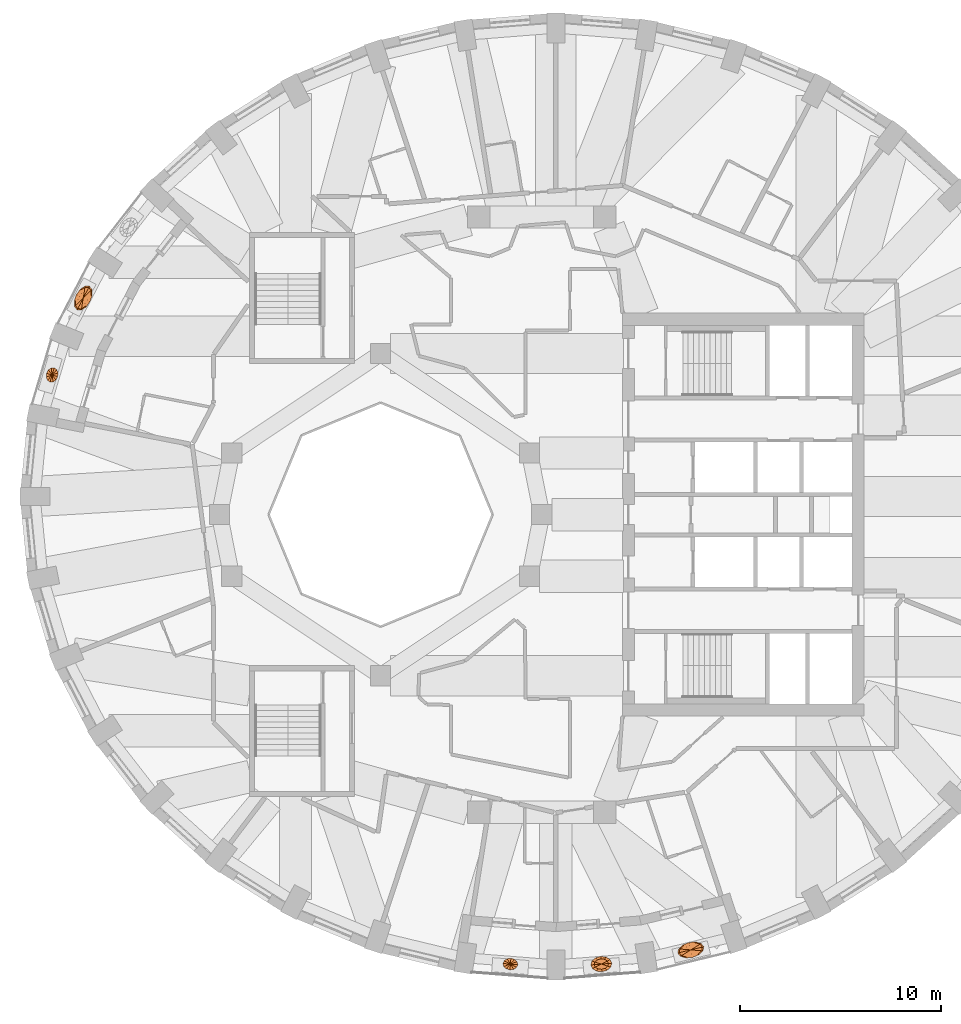
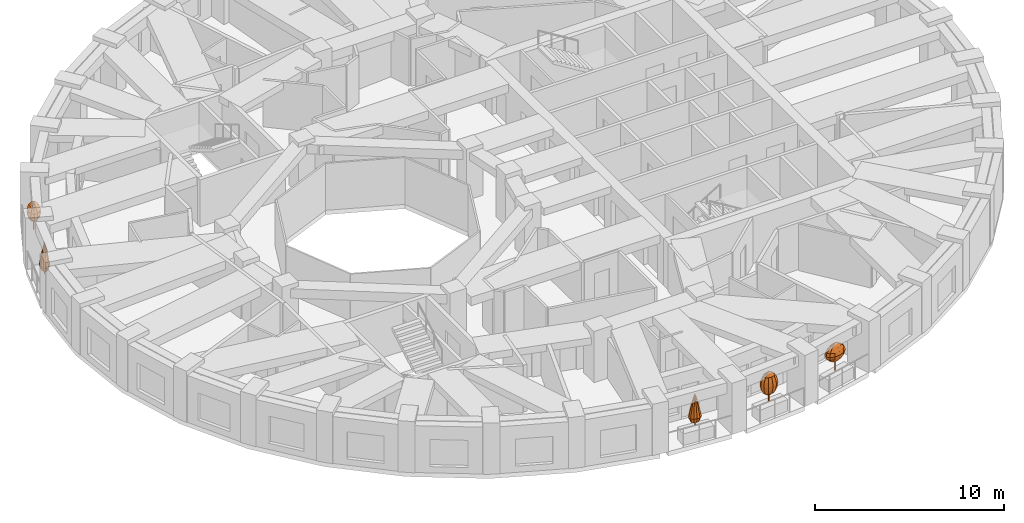
# One storey, part 11 of 12: 5 geographic elements.
"""IFC4 building model written with IfcOpenShell, lengths in metres."""

from ifc_helpers import new_model, si_unit, direction, frame, origin, place, context, subcontext, project, spatial, faceted_brep, material, constituent, constituent_set, type_object, element, save


model = new_model("IFC4")

# Units and contexts
model_context = context("Model", 3, precision=1e-05, world=origin(), true_north=direction((0.0, 1.0)))
body_context = subcontext(model_context, "Body", "Model", "MODEL_VIEW")
ifc_project = project(units=[si_unit("LENGTHUNIT", "METRE"), si_unit("AREAUNIT", "SQUARE_METRE"), si_unit("VOLUMEUNIT", "CUBIC_METRE"), si_unit("PLANEANGLEUNIT", "RADIAN"), si_unit("MASSUNIT", "GRAM", prefix="KILO")], contexts=[model_context])

# Site, building, storey
site_placement = place(None, origin())
site = spatial("IfcSite", under=ifc_project, at=site_placement, CompositionType="ELEMENT")
building_placement = place(site_placement, origin())
building = spatial("IfcBuilding", under=site, at=building_placement, Name="Taillehof Tower", CompositionType="ELEMENT")
storey_placement = place(building_placement, frame((0.0, 0.0, 202.39990234375)))
storey = spatial("IfcBuildingStorey", under=building, at=storey_placement, Name="L57", CompositionType="ELEMENT", Elevation=202.39990234375)

# Geographic elements
ifc_material_1 = material(Name="Tree bark", Category="timber")
ifc_constituent_1 = constituent(ifc_material_1, Name="Trunk", Category="timber")
ifc_material_2 = material(Name="Tree foliage")
ifc_constituent_2 = constituent(ifc_material_2, Name="Crown")
ifc_constituent_set_1 = constituent_set(constituents=[ifc_constituent_1, ifc_constituent_2], Name="Tree TR2 Fastigiate yew")
geographic_element_type_1 = type_object("IfcGeographicElementType", Name="Tree TR2 Fastigiate yew", PredefinedType="USERDEFINED", material=ifc_constituent_set_1)
geographic_element_1_placement = place(storey_placement, frame((2.955322265625, -22.310546875, 0.75)))
element("IfcGeographicElement", 1, at=geographic_element_1_placement, inside=storey, type_object=geographic_element_type_1, Name="Tree TR2 Fastigiate yew", ObjectType="TREE", PredefinedType="USERDEFINED", context=body_context, shape_type="Brep", body=[
    faceted_brep([(0.034912109375, 0.0, 0.0), (0.024658203125, 0.024658203125, 0.0), (0.024658203125, 0.024658203125, 0.909912109375), (0.034912109375, 0.0, 0.909912109375), (0.0, 0.034912109375, 0.0), (0.0, 0.034912109375, 0.909912109375), (-0.024658203125, 0.024658203125, 0.0), (-0.024658203125, 0.024658203125, 0.909912109375), (-0.034912109375, 0.0, 0.0), (-0.034912109375, 0.0, 0.909912109375), (-0.024658203125, -0.024658203125, 0.0), (-0.024658203125, -0.024658203125, 0.909912109375), (0.0, -0.034912109375, 0.0), (0.0, -0.034912109375, 0.909912109375), (0.024658203125, -0.024658203125, 0.0), (0.024658203125, -0.024658203125, 0.909912109375)], [[[0, 1, 2, 3]], [[1, 4, 5, 2]], [[4, 6, 7, 5]], [[6, 8, 9, 7]], [[8, 10, 11, 9]], [[10, 12, 13, 11]], [[12, 14, 15, 13]], [[14, 0, 3, 15]], [[14, 12, 10, 8, 6, 4, 1, 0]], [[3, 2, 5, 7, 9, 11, 13, 15]]]),
    faceted_brep([(0.0, 0.0, 0.35009765625), (0.2978515625, 0.153564453125, 0.61669921875), (0.355712890625, 0.028076171875, 0.61669921875), (0.16015625, 0.238037109375, 0.61669921875), (-0.020263671875, 0.2587890625, 0.61669921875), (-0.195556640625, 0.2099609375, 0.61669921875), (-0.318359375, 0.105224609375, 0.61669921875), (-0.355712890625, -0.028076171875, 0.61669921875), (-0.2978515625, -0.153564453125, 0.61669921875), (-0.16015625, -0.238037109375, 0.61669921875), (0.020263671875, -0.2587890625, 0.61669921875), (0.195556640625, -0.2099609375, 0.61669921875), (0.318359375, -0.105224609375, 0.61669921875), (0.403076171875, 0.207763671875, 0.88330078125), (0.481201171875, 0.037841796875, 0.88330078125), (0.216796875, 0.322021484375, 0.88330078125), (-0.027587890625, 0.35009765625, 0.88330078125), (-0.264404296875, 0.2841796875, 0.88330078125), (-0.4306640625, 0.14208984375, 0.88330078125), (-0.481201171875, -0.037841796875, 0.88330078125), (-0.403076171875, -0.207763671875, 0.88330078125), (-0.216796875, -0.322021484375, 0.88330078125), (0.027587890625, -0.35009765625, 0.88330078125), (0.264404296875, -0.2841796875, 0.88330078125), (0.4306640625, -0.14208984375, 0.88330078125), (0.436279296875, 0.224853515625, 1.14990234375), (0.52099609375, 0.041015625, 1.14990234375), (0.234619140625, 0.3486328125, 1.14990234375), (-0.02978515625, 0.37890625, 1.14990234375), (-0.286376953125, 0.3076171875, 1.14990234375), (-0.466064453125, 0.15380859375, 1.14990234375), (-0.52099609375, -0.041015625, 1.14990234375), (-0.436279296875, -0.224853515625, 1.14990234375), (-0.234619140625, -0.3486328125, 1.14990234375), (0.02978515625, -0.37890625, 1.14990234375), (0.286376953125, -0.3076171875, 1.14990234375), (0.466064453125, -0.15380859375, 1.14990234375), (0.403076171875, 0.207763671875, 1.416748046875), (0.481201171875, 0.037841796875, 1.416748046875), (0.216796875, 0.322021484375, 1.416748046875), (-0.027587890625, 0.35009765625, 1.416748046875), (-0.264404296875, 0.2841796875, 1.416748046875), (-0.4306640625, 0.14208984375, 1.416748046875), (-0.481201171875, -0.037841796875, 1.416748046875), (-0.403076171875, -0.207763671875, 1.416748046875), (-0.216796875, -0.322021484375, 1.416748046875), (0.027587890625, -0.35009765625, 1.416748046875), (0.264404296875, -0.2841796875, 1.416748046875), (0.4306640625, -0.14208984375, 1.416748046875), (0.2978515625, 0.153564453125, 1.683349609375), (0.355712890625, 0.028076171875, 1.683349609375), (0.16015625, 0.238037109375, 1.683349609375), (-0.020263671875, 0.2587890625, 1.683349609375), (-0.195556640625, 0.2099609375, 1.683349609375), (-0.318359375, 0.105224609375, 1.683349609375), (-0.355712890625, -0.028076171875, 1.683349609375), (-0.2978515625, -0.153564453125, 1.683349609375), (-0.16015625, -0.238037109375, 1.683349609375), (0.020263671875, -0.2587890625, 1.683349609375), (0.195556640625, -0.2099609375, 1.683349609375), (0.318359375, -0.105224609375, 1.683349609375), (0.0, 0.0, 1.949951171875)], [[[0, 1, 2]], [[0, 3, 1]], [[0, 4, 3]], [[0, 5, 4]], [[0, 6, 5]], [[0, 7, 6]], [[0, 8, 7]], [[0, 9, 8]], [[0, 10, 9]], [[0, 11, 10]], [[0, 12, 11]], [[0, 2, 12]], [[2, 1, 13, 14]], [[1, 3, 15, 13]], [[3, 4, 16, 15]], [[4, 5, 17, 16]], [[5, 6, 18, 17]], [[6, 7, 19, 18]], [[7, 8, 20, 19]], [[8, 9, 21, 20]], [[9, 10, 22, 21]], [[10, 11, 23, 22]], [[11, 12, 24, 23]], [[12, 2, 14, 24]], [[14, 13, 25, 26]], [[13, 15, 27, 25]], [[15, 16, 28, 27]], [[16, 17, 29, 28]], [[17, 18, 30, 29]], [[18, 19, 31, 30]], [[19, 20, 32, 31]], [[20, 21, 33, 32]], [[21, 22, 34, 33]], [[22, 23, 35, 34]], [[23, 24, 36, 35]], [[24, 14, 26, 36]], [[26, 25, 37, 38]], [[25, 27, 39, 37]], [[27, 28, 40, 39]], [[28, 29, 41, 40]], [[29, 30, 42, 41]], [[30, 31, 43, 42]], [[31, 32, 44, 43]], [[32, 33, 45, 44]], [[33, 34, 46, 45]], [[34, 35, 47, 46]], [[35, 36, 48, 47]], [[36, 26, 38, 48]], [[38, 37, 49, 50]], [[37, 39, 51, 49]], [[39, 40, 52, 51]], [[40, 41, 53, 52]], [[41, 42, 54, 53]], [[42, 43, 55, 54]], [[43, 44, 56, 55]], [[44, 45, 57, 56]], [[45, 46, 58, 57]], [[46, 47, 59, 58]], [[47, 48, 60, 59]], [[48, 38, 50, 60]], [[50, 49, 61]], [[49, 51, 61]], [[51, 52, 61]], [[52, 53, 61]], [[53, 54, 61]], [[54, 55, 61]], [[55, 56, 61]], [[56, 57, 61]], [[57, 58, 61]], [[58, 59, 61]], [[59, 60, 61]], [[60, 50, 61]]]),
])
ifc_material_3 = material(Name="Tree bark", Category="timber")
ifc_constituent_3 = constituent(ifc_material_3, Name="Trunk", Category="timber")
ifc_material_4 = material(Name="Tree foliage")
ifc_constituent_4 = constituent(ifc_material_4, Name="Crown")
ifc_constituent_set_2 = constituent_set(constituents=[ifc_constituent_3, ifc_constituent_4], Name="Tree TR4 Sea buckthorn standard")
geographic_element_type_2 = type_object("IfcGeographicElementType", Name="Tree TR4 Sea buckthorn standard", PredefinedType="USERDEFINED", material=ifc_constituent_set_2)
geographic_element_2_placement = place(storey_placement, frame((-22.760986328125, 10.750244140625, 0.75)))
element("IfcGeographicElement", 2, at=geographic_element_2_placement, inside=storey, type_object=geographic_element_type_2, Name="Tree TR4 Sea buckthorn standard", ObjectType="TREE", PredefinedType="USERDEFINED", context=body_context, shape_type="Brep", body=[
    faceted_brep([(0.030029296875, 0.0, 0.0), (0.021240234375, 0.021240234375, 0.0), (0.021240234375, 0.021240234375, 0.98095703125), (0.030029296875, 0.0, 0.98095703125), (0.0, 0.030029296875, 0.0), (0.0, 0.030029296875, 0.98095703125), (-0.021240234375, 0.021240234375, 0.0), (-0.021240234375, 0.021240234375, 0.98095703125), (-0.030029296875, 0.0, 0.0), (-0.030029296875, 0.0, 0.98095703125), (-0.021240234375, -0.021240234375, 0.0), (-0.021240234375, -0.021240234375, 0.98095703125), (0.0, -0.030029296875, 0.0), (0.0, -0.030029296875, 0.98095703125), (0.021240234375, -0.021240234375, 0.0), (0.021240234375, -0.021240234375, 0.98095703125)], [[[0, 1, 2, 3]], [[1, 4, 5, 2]], [[4, 6, 7, 5]], [[6, 8, 9, 7]], [[8, 10, 11, 9]], [[10, 12, 13, 11]], [[12, 14, 15, 13]], [[14, 0, 3, 15]], [[14, 12, 10, 8, 6, 4, 1, 0]], [[3, 2, 5, 7, 9, 11, 13, 15]]]),
    faceted_brep([(0.0, 0.0, 0.5400390625), (-0.055419921875, -0.343994140625, 0.75), (-0.17578125, -0.339111328125, 0.75), (0.079833984375, -0.256591796875, 0.75), (0.19384765625, -0.100341796875, 0.75), (0.255615234375, 0.08251953125, 0.75), (0.2490234375, 0.243408203125, 0.75), (0.17578125, 0.339111328125, 0.75), (0.055419921875, 0.343994140625, 0.75), (-0.079833984375, 0.256591796875, 0.75), (-0.19384765625, 0.100341796875, 0.75), (-0.255615234375, -0.08251953125, 0.75), (-0.2490234375, -0.243408203125, 0.75), (-0.0859375, -0.53369140625, 0.9599609375), (-0.272705078125, -0.526123046875, 0.9599609375), (0.1240234375, -0.398193359375, 0.9599609375), (0.30078125, -0.15576171875, 0.9599609375), (0.396728515625, 0.128173828125, 0.9599609375), (0.386474609375, 0.377685546875, 0.9599609375), (0.272705078125, 0.526123046875, 0.9599609375), (0.0859375, 0.53369140625, 0.9599609375), (-0.1240234375, 0.398193359375, 0.9599609375), (-0.30078125, 0.15576171875, 0.9599609375), (-0.396728515625, -0.128173828125, 0.9599609375), (-0.386474609375, -0.377685546875, 0.9599609375), (-0.096435546875, -0.5986328125, 1.169921875), (-0.30615234375, -0.59033203125, 1.169921875), (0.13916015625, -0.446533203125, 1.169921875), (0.33740234375, -0.1748046875, 1.169921875), (0.445068359375, 0.143798828125, 1.169921875), (0.433837890625, 0.423828125, 1.169921875), (0.30615234375, 0.59033203125, 1.169921875), (0.096435546875, 0.5986328125, 1.169921875), (-0.13916015625, 0.446533203125, 1.169921875), (-0.33740234375, 0.1748046875, 1.169921875), (-0.445068359375, -0.143798828125, 1.169921875), (-0.433837890625, -0.423828125, 1.169921875), (-0.0859375, -0.53369140625, 1.3798828125), (-0.272705078125, -0.526123046875, 1.3798828125), (0.1240234375, -0.398193359375, 1.3798828125), (0.30078125, -0.15576171875, 1.3798828125), (0.396728515625, 0.128173828125, 1.3798828125), (0.386474609375, 0.377685546875, 1.3798828125), (0.272705078125, 0.526123046875, 1.3798828125), (0.0859375, 0.53369140625, 1.3798828125), (-0.1240234375, 0.398193359375, 1.3798828125), (-0.30078125, 0.15576171875, 1.3798828125), (-0.396728515625, -0.128173828125, 1.3798828125), (-0.386474609375, -0.377685546875, 1.3798828125), (-0.055419921875, -0.343994140625, 1.590087890625), (-0.17578125, -0.339111328125, 1.590087890625), (0.079833984375, -0.256591796875, 1.590087890625), (0.19384765625, -0.100341796875, 1.590087890625), (0.255615234375, 0.08251953125, 1.590087890625), (0.2490234375, 0.243408203125, 1.590087890625), (0.17578125, 0.339111328125, 1.590087890625), (0.055419921875, 0.343994140625, 1.590087890625), (-0.079833984375, 0.256591796875, 1.590087890625), (-0.19384765625, 0.100341796875, 1.590087890625), (-0.255615234375, -0.08251953125, 1.590087890625), (-0.2490234375, -0.243408203125, 1.590087890625), (0.0, 0.0, 1.800048828125)], [[[0, 1, 2]], [[0, 3, 1]], [[0, 4, 3]], [[0, 5, 4]], [[0, 6, 5]], [[0, 7, 6]], [[0, 8, 7]], [[0, 9, 8]], [[0, 10, 9]], [[0, 11, 10]], [[0, 12, 11]], [[0, 2, 12]], [[2, 1, 13, 14]], [[1, 3, 15, 13]], [[3, 4, 16, 15]], [[4, 5, 17, 16]], [[5, 6, 18, 17]], [[6, 7, 19, 18]], [[7, 8, 20, 19]], [[8, 9, 21, 20]], [[9, 10, 22, 21]], [[10, 11, 23, 22]], [[11, 12, 24, 23]], [[12, 2, 14, 24]], [[14, 13, 25, 26]], [[13, 15, 27, 25]], [[15, 16, 28, 27]], [[16, 17, 29, 28]], [[17, 18, 30, 29]], [[18, 19, 31, 30]], [[19, 20, 32, 31]], [[20, 21, 33, 32]], [[21, 22, 34, 33]], [[22, 23, 35, 34]], [[23, 24, 36, 35]], [[24, 14, 26, 36]], [[26, 25, 37, 38]], [[25, 27, 39, 37]], [[27, 28, 40, 39]], [[28, 29, 41, 40]], [[29, 30, 42, 41]], [[30, 31, 43, 42]], [[31, 32, 44, 43]], [[32, 33, 45, 44]], [[33, 34, 46, 45]], [[34, 35, 47, 46]], [[35, 36, 48, 47]], [[36, 26, 38, 48]], [[38, 37, 49, 50]], [[37, 39, 51, 49]], [[39, 40, 52, 51]], [[40, 41, 53, 52]], [[41, 42, 54, 53]], [[42, 43, 55, 54]], [[43, 44, 56, 55]], [[44, 45, 57, 56]], [[45, 46, 58, 57]], [[46, 47, 59, 58]], [[47, 48, 60, 59]], [[48, 38, 50, 60]], [[50, 49, 61]], [[49, 51, 61]], [[51, 52, 61]], [[52, 53, 61]], [[53, 54, 61]], [[54, 55, 61]], [[55, 56, 61]], [[56, 57, 61]], [[57, 58, 61]], [[58, 59, 61]], [[59, 60, 61]], [[60, 50, 61]]]),
])
geographic_element_3_placement = place(storey_placement, frame((7.39794921875, -21.60595703125, 0.75)))
element("IfcGeographicElement", 3, at=geographic_element_3_placement, inside=storey, type_object=geographic_element_type_2, Name="Tree TR4 Sea buckthorn standard", ObjectType="TREE", PredefinedType="USERDEFINED", context=body_context, shape_type="Brep", body=[
    faceted_brep([(0.030029296875, 0.0, 0.0), (0.021240234375, 0.021240234375, 0.0), (0.021240234375, 0.021240234375, 0.98095703125), (0.030029296875, 0.0, 0.98095703125), (0.0, 0.030029296875, 0.0), (0.0, 0.030029296875, 0.98095703125), (-0.021240234375, 0.021240234375, 0.0), (-0.021240234375, 0.021240234375, 0.98095703125), (-0.030029296875, 0.0, 0.0), (-0.030029296875, 0.0, 0.98095703125), (-0.021240234375, -0.021240234375, 0.0), (-0.021240234375, -0.021240234375, 0.98095703125), (0.0, -0.030029296875, 0.0), (0.0, -0.030029296875, 0.98095703125), (0.021240234375, -0.021240234375, 0.0), (0.021240234375, -0.021240234375, 0.98095703125)], [[[0, 1, 2, 3]], [[1, 4, 5, 2]], [[4, 6, 7, 5]], [[6, 8, 9, 7]], [[8, 10, 11, 9]], [[10, 12, 13, 11]], [[12, 14, 15, 13]], [[14, 0, 3, 15]], [[14, 12, 10, 8, 6, 4, 1, 0]], [[3, 2, 5, 7, 9, 11, 13, 15]]]),
    faceted_brep([(0.0, 0.0, 0.5400390625), (0.2958984375, 0.18359375, 0.75), (0.371337890625, 0.089599609375, 0.75), (0.141357421875, 0.228515625, 0.75), (-0.051025390625, 0.212158203125, 0.75), (-0.22998046875, 0.138916015625, 0.75), (-0.34716796875, 0.028564453125, 0.75), (-0.371337890625, -0.089599609375, 0.75), (-0.2958984375, -0.18359375, 0.75), (-0.141357421875, -0.228515625, 0.75), (0.051025390625, -0.212158203125, 0.75), (0.22998046875, -0.138916015625, 0.75), (0.34716796875, -0.028564453125, 0.75), (0.459228515625, 0.284912109375, 0.9599609375), (0.576171875, 0.138916015625, 0.9599609375), (0.219482421875, 0.3544921875, 0.9599609375), (-0.079345703125, 0.329345703125, 0.9599609375), (-0.35693359375, 0.2158203125, 0.9599609375), (-0.538818359375, 0.04443359375, 0.9599609375), (-0.576171875, -0.138916015625, 0.9599609375), (-0.459228515625, -0.284912109375, 0.9599609375), (-0.219482421875, -0.3544921875, 0.9599609375), (0.079345703125, -0.329345703125, 0.9599609375), (0.35693359375, -0.2158203125, 0.9599609375), (0.538818359375, -0.04443359375, 0.9599609375), (0.515380859375, 0.319580078125, 1.169921875), (0.646484375, 0.15576171875, 1.169921875), (0.24609375, 0.39794921875, 1.169921875), (-0.089111328125, 0.369384765625, 1.169921875), (-0.400390625, 0.241943359375, 1.169921875), (-0.6044921875, 0.0498046875, 1.169921875), (-0.646484375, -0.15576171875, 1.169921875), (-0.515380859375, -0.319580078125, 1.169921875), (-0.24609375, -0.39794921875, 1.169921875), (0.089111328125, -0.369384765625, 1.169921875), (0.400390625, -0.241943359375, 1.169921875), (0.6044921875, -0.0498046875, 1.169921875), (0.459228515625, 0.284912109375, 1.3798828125), (0.576171875, 0.138916015625, 1.3798828125), (0.219482421875, 0.3544921875, 1.3798828125), (-0.079345703125, 0.329345703125, 1.3798828125), (-0.35693359375, 0.2158203125, 1.3798828125), (-0.538818359375, 0.04443359375, 1.3798828125), (-0.576171875, -0.138916015625, 1.3798828125), (-0.459228515625, -0.284912109375, 1.3798828125), (-0.219482421875, -0.3544921875, 1.3798828125), (0.079345703125, -0.329345703125, 1.3798828125), (0.35693359375, -0.2158203125, 1.3798828125), (0.538818359375, -0.04443359375, 1.3798828125), (0.2958984375, 0.18359375, 1.590087890625), (0.371337890625, 0.089599609375, 1.590087890625), (0.141357421875, 0.228515625, 1.590087890625), (-0.051025390625, 0.212158203125, 1.590087890625), (-0.22998046875, 0.138916015625, 1.590087890625), (-0.34716796875, 0.028564453125, 1.590087890625), (-0.371337890625, -0.089599609375, 1.590087890625), (-0.2958984375, -0.18359375, 1.590087890625), (-0.141357421875, -0.228515625, 1.590087890625), (0.051025390625, -0.212158203125, 1.590087890625), (0.22998046875, -0.138916015625, 1.590087890625), (0.34716796875, -0.028564453125, 1.590087890625), (0.0, 0.0, 1.800048828125)], [[[0, 1, 2]], [[0, 3, 1]], [[0, 4, 3]], [[0, 5, 4]], [[0, 6, 5]], [[0, 7, 6]], [[0, 8, 7]], [[0, 9, 8]], [[0, 10, 9]], [[0, 11, 10]], [[0, 12, 11]], [[0, 2, 12]], [[2, 1, 13, 14]], [[1, 3, 15, 13]], [[3, 4, 16, 15]], [[4, 5, 17, 16]], [[5, 6, 18, 17]], [[6, 7, 19, 18]], [[7, 8, 20, 19]], [[8, 9, 21, 20]], [[9, 10, 22, 21]], [[10, 11, 23, 22]], [[11, 12, 24, 23]], [[12, 2, 14, 24]], [[14, 13, 25, 26]], [[13, 15, 27, 25]], [[15, 16, 28, 27]], [[16, 17, 29, 28]], [[17, 18, 30, 29]], [[18, 19, 31, 30]], [[19, 20, 32, 31]], [[20, 21, 33, 32]], [[21, 22, 34, 33]], [[22, 23, 35, 34]], [[23, 24, 36, 35]], [[24, 14, 26, 36]], [[26, 25, 37, 38]], [[25, 27, 39, 37]], [[27, 28, 40, 39]], [[28, 29, 41, 40]], [[29, 30, 42, 41]], [[30, 31, 43, 42]], [[31, 32, 44, 43]], [[32, 33, 45, 44]], [[33, 34, 46, 45]], [[34, 35, 47, 46]], [[35, 36, 48, 47]], [[36, 26, 38, 48]], [[38, 37, 49, 50]], [[37, 39, 51, 49]], [[39, 40, 52, 51]], [[40, 41, 53, 52]], [[41, 42, 54, 53]], [[42, 43, 55, 54]], [[43, 44, 56, 55]], [[44, 45, 57, 56]], [[45, 46, 58, 57]], [[46, 47, 59, 58]], [[47, 48, 60, 59]], [[48, 38, 50, 60]], [[50, 49, 61]], [[49, 51, 61]], [[51, 52, 61]], [[52, 53, 61]], [[53, 54, 61]], [[54, 55, 61]], [[55, 56, 61]], [[56, 57, 61]], [[57, 58, 61]], [[58, 59, 61]], [[59, 60, 61]], [[60, 50, 61]]]),
])
ifc_material_5 = material(Name="Tree bark", Category="timber")
ifc_constituent_5 = constituent(ifc_material_5, Name="Trunk", Category="timber")
ifc_material_6 = material(Name="Tree foliage")
ifc_constituent_6 = constituent(ifc_material_6, Name="Crown")
ifc_constituent_set_3 = constituent_set(constituents=[ifc_constituent_5, ifc_constituent_6], Name="Tree TR5 Columnar juniper")
geographic_element_type_3 = type_object("IfcGeographicElementType", Name="Tree TR5 Columnar juniper", PredefinedType="USERDEFINED", material=ifc_constituent_set_3)
geographic_element_4_placement = place(storey_placement, frame((-24.305419921875, 6.932861328125, 0.75)))
element("IfcGeographicElement", 4, at=geographic_element_4_placement, inside=storey, type_object=geographic_element_type_3, Name="Tree TR5 Columnar juniper", ObjectType="TREE", PredefinedType="USERDEFINED", context=body_context, shape_type="Brep", body=[
    faceted_brep([(0.02490234375, 0.0, 0.0), (0.017578125, 0.017578125, 0.0), (0.017578125, 0.017578125, 0.929931640625), (0.02490234375, 0.0, 0.929931640625), (0.0, 0.02490234375, 0.0), (0.0, 0.02490234375, 0.929931640625), (-0.017578125, 0.017578125, 0.0), (-0.017578125, 0.017578125, 0.929931640625), (-0.02490234375, 0.0, 0.0), (-0.02490234375, 0.0, 0.929931640625), (-0.017578125, -0.017578125, 0.0), (-0.017578125, -0.017578125, 0.929931640625), (0.0, -0.02490234375, 0.0), (0.0, -0.02490234375, 0.929931640625), (0.017578125, -0.017578125, 0.0), (0.017578125, -0.017578125, 0.929931640625)], [[[0, 1, 2, 3]], [[1, 4, 5, 2]], [[4, 6, 7, 5]], [[6, 8, 9, 7]], [[8, 10, 11, 9]], [[10, 12, 13, 11]], [[12, 14, 15, 13]], [[14, 0, 3, 15]], [[14, 12, 10, 8, 6, 4, 1, 0]], [[3, 2, 5, 7, 9, 11, 13, 15]]]),
    faceted_brep([(-0.070556640625, -0.2373046875, 0.300048828125), (0.031005859375, -0.23291015625, 0.300048828125), (0.04638671875, -0.34765625, 0.60009765625), (-0.10546875, -0.35400390625, 0.60009765625), (0.12451171875, -0.166259765625, 0.300048828125), (0.185791015625, -0.248046875, 0.60009765625), (0.1845703125, -0.054931640625, 0.300048828125), (0.275390625, -0.08203125, 0.60009765625), (0.195068359375, 0.071044921875, 0.300048828125), (0.291259765625, 0.10595703125, 0.60009765625), (0.1533203125, 0.177978515625, 0.300048828125), (0.22900390625, 0.265625, 0.60009765625), (0.070556640625, 0.2373046875, 0.300048828125), (0.10546875, 0.35400390625, 0.60009765625), (-0.031005859375, 0.23291015625, 0.300048828125), (-0.04638671875, 0.34765625, 0.60009765625), (-0.12451171875, 0.166259765625, 0.300048828125), (-0.185791015625, 0.248046875, 0.60009765625), (-0.1845703125, 0.054931640625, 0.300048828125), (-0.275390625, 0.08203125, 0.60009765625), (-0.195068359375, -0.071044921875, 0.300048828125), (-0.291259765625, -0.10595703125, 0.60009765625), (-0.1533203125, -0.177978515625, 0.300048828125), (-0.22900390625, -0.265625, 0.60009765625), (0.038818359375, -0.290771484375, 0.89990234375), (-0.088134765625, -0.296142578125, 0.89990234375), (0.155517578125, -0.20751953125, 0.89990234375), (0.23046875, -0.068603515625, 0.89990234375), (0.24365234375, 0.088623046875, 0.89990234375), (0.191650390625, 0.22216796875, 0.89990234375), (0.088134765625, 0.296142578125, 0.89990234375), (-0.038818359375, 0.290771484375, 0.89990234375), (-0.155517578125, 0.20751953125, 0.89990234375), (-0.23046875, 0.068603515625, 0.89990234375), (-0.24365234375, -0.088623046875, 0.89990234375), (-0.191650390625, -0.22216796875, 0.89990234375), (0.03076171875, -0.23095703125, 1.199951171875), (-0.070068359375, -0.2353515625, 1.199951171875), (0.12353515625, -0.164794921875, 1.199951171875), (0.18310546875, -0.054443359375, 1.199951171875), (0.193603515625, 0.070556640625, 1.199951171875), (0.152099609375, 0.176513671875, 1.199951171875), (0.070068359375, 0.2353515625, 1.199951171875), (-0.03076171875, 0.23095703125, 1.199951171875), (-0.12353515625, 0.164794921875, 1.199951171875), (-0.18310546875, 0.054443359375, 1.199951171875), (-0.193603515625, -0.070556640625, 1.199951171875), (-0.152099609375, -0.176513671875, 1.199951171875), (0.022216796875, -0.1669921875, 1.5), (-0.05078125, -0.170166015625, 1.5), (0.08935546875, -0.119140625, 1.5), (0.13232421875, -0.039306640625, 1.5), (0.139892578125, 0.051025390625, 1.5), (0.110107421875, 0.127685546875, 1.5), (0.05078125, 0.170166015625, 1.5), (-0.022216796875, 0.1669921875, 1.5), (-0.08935546875, 0.119140625, 1.5), (-0.13232421875, 0.039306640625, 1.5), (-0.139892578125, -0.051025390625, 1.5), (-0.110107421875, -0.127685546875, 1.5), (0.0126953125, -0.095947265625, 1.800048828125), (-0.029052734375, -0.09765625, 1.800048828125), (0.05126953125, -0.068359375, 1.800048828125), (0.075927734375, -0.022705078125, 1.800048828125), (0.080322265625, 0.029296875, 1.800048828125), (0.063232421875, 0.0732421875, 1.800048828125), (0.029052734375, 0.09765625, 1.800048828125), (-0.0126953125, 0.095947265625, 1.800048828125), (-0.05126953125, 0.068359375, 1.800048828125), (-0.075927734375, 0.022705078125, 1.800048828125), (-0.080322265625, -0.029296875, 1.800048828125), (-0.063232421875, -0.0732421875, 1.800048828125), (0.0, 0.0, 2.10009765625)], [[[0, 1, 2, 3]], [[1, 4, 5, 2]], [[4, 6, 7, 5]], [[6, 8, 9, 7]], [[8, 10, 11, 9]], [[10, 12, 13, 11]], [[12, 14, 15, 13]], [[14, 16, 17, 15]], [[16, 18, 19, 17]], [[18, 20, 21, 19]], [[20, 22, 23, 21]], [[22, 0, 3, 23]], [[3, 2, 24, 25]], [[2, 5, 26, 24]], [[5, 7, 27, 26]], [[7, 9, 28, 27]], [[9, 11, 29, 28]], [[11, 13, 30, 29]], [[13, 15, 31, 30]], [[15, 17, 32, 31]], [[17, 19, 33, 32]], [[19, 21, 34, 33]], [[21, 23, 35, 34]], [[23, 3, 25, 35]], [[25, 24, 36, 37]], [[24, 26, 38, 36]], [[26, 27, 39, 38]], [[27, 28, 40, 39]], [[28, 29, 41, 40]], [[29, 30, 42, 41]], [[30, 31, 43, 42]], [[31, 32, 44, 43]], [[32, 33, 45, 44]], [[33, 34, 46, 45]], [[34, 35, 47, 46]], [[35, 25, 37, 47]], [[37, 36, 48, 49]], [[36, 38, 50, 48]], [[38, 39, 51, 50]], [[39, 40, 52, 51]], [[40, 41, 53, 52]], [[41, 42, 54, 53]], [[42, 43, 55, 54]], [[43, 44, 56, 55]], [[44, 45, 57, 56]], [[45, 46, 58, 57]], [[46, 47, 59, 58]], [[47, 37, 49, 59]], [[49, 48, 60, 61]], [[48, 50, 62, 60]], [[50, 51, 63, 62]], [[51, 52, 64, 63]], [[52, 53, 65, 64]], [[53, 54, 66, 65]], [[54, 55, 67, 66]], [[55, 56, 68, 67]], [[56, 57, 69, 68]], [[57, 58, 70, 69]], [[58, 59, 71, 70]], [[59, 49, 61, 71]], [[61, 60, 72]], [[60, 62, 72]], [[62, 63, 72]], [[63, 64, 72]], [[64, 65, 72]], [[65, 66, 72]], [[66, 67, 72]], [[67, 68, 72]], [[68, 69, 72]], [[69, 70, 72]], [[70, 71, 72]], [[71, 61, 72]], [[22, 20, 18, 16, 14, 12, 10, 8, 6, 4, 1, 0]]]),
])
geographic_element_5_placement = place(storey_placement, frame((-1.555419921875, -22.310546875, 0.75)))
element("IfcGeographicElement", 5, at=geographic_element_5_placement, inside=storey, type_object=geographic_element_type_3, Name="Tree TR5 Columnar juniper", ObjectType="TREE", PredefinedType="USERDEFINED", context=body_context, shape_type="Brep", body=[
    faceted_brep([(0.02490234375, 0.0, 0.0), (0.017578125, 0.017578125, 0.0), (0.017578125, 0.017578125, 0.929931640625), (0.02490234375, 0.0, 0.929931640625), (0.0, 0.02490234375, 0.0), (0.0, 0.02490234375, 0.929931640625), (-0.017578125, 0.017578125, 0.0), (-0.017578125, 0.017578125, 0.929931640625), (-0.02490234375, 0.0, 0.0), (-0.02490234375, 0.0, 0.929931640625), (-0.017578125, -0.017578125, 0.0), (-0.017578125, -0.017578125, 0.929931640625), (0.0, -0.02490234375, 0.0), (0.0, -0.02490234375, 0.929931640625), (0.017578125, -0.017578125, 0.0), (0.017578125, -0.017578125, 0.929931640625)], [[[0, 1, 2, 3]], [[1, 4, 5, 2]], [[4, 6, 7, 5]], [[6, 8, 9, 7]], [[8, 10, 11, 9]], [[10, 12, 13, 11]], [[12, 14, 15, 13]], [[14, 0, 3, 15]], [[14, 12, 10, 8, 6, 4, 1, 0]], [[3, 2, 5, 7, 9, 11, 13, 15]]]),
    faceted_brep([(0.246826171875, -0.01953125, 0.300048828125), (0.22119140625, 0.0791015625, 0.300048828125), (0.330322265625, 0.1181640625, 0.60009765625), (0.368408203125, -0.029052734375, 0.60009765625), (0.136474609375, 0.156494140625, 0.300048828125), (0.20361328125, 0.233642578125, 0.60009765625), (0.01513671875, 0.19189453125, 0.300048828125), (0.0224609375, 0.286376953125, 0.60009765625), (-0.1103515625, 0.176025390625, 0.300048828125), (-0.16455078125, 0.2626953125, 0.60009765625), (-0.2060546875, 0.11279296875, 0.300048828125), (-0.3076171875, 0.16845703125, 0.60009765625), (-0.246826171875, 0.01953125, 0.300048828125), (-0.368408203125, 0.029052734375, 0.60009765625), (-0.22119140625, -0.0791015625, 0.300048828125), (-0.330322265625, -0.1181640625, 0.60009765625), (-0.136474609375, -0.156494140625, 0.300048828125), (-0.20361328125, -0.233642578125, 0.60009765625), (-0.01513671875, -0.19189453125, 0.300048828125), (-0.0224609375, -0.286376953125, 0.60009765625), (0.1103515625, -0.176025390625, 0.300048828125), (0.16455078125, -0.2626953125, 0.60009765625), (0.2060546875, -0.11279296875, 0.300048828125), (0.3076171875, -0.16845703125, 0.60009765625), (0.2763671875, 0.098876953125, 0.89990234375), (0.30810546875, -0.024169921875, 0.89990234375), (0.17041015625, 0.1953125, 0.89990234375), (0.018798828125, 0.23974609375, 0.89990234375), (-0.1376953125, 0.2197265625, 0.89990234375), (-0.25732421875, 0.140869140625, 0.89990234375), (-0.30810546875, 0.024169921875, 0.89990234375), (-0.2763671875, -0.098876953125, 0.89990234375), (-0.17041015625, -0.1953125, 0.89990234375), (-0.018798828125, -0.23974609375, 0.89990234375), (0.1376953125, -0.2197265625, 0.89990234375), (0.25732421875, -0.140869140625, 0.89990234375), (0.219482421875, 0.07861328125, 1.199951171875), (0.244873046875, -0.019287109375, 1.199951171875), (0.13525390625, 0.1552734375, 1.199951171875), (0.014892578125, 0.1904296875, 1.199951171875), (-0.109375, 0.174560546875, 1.199951171875), (-0.20458984375, 0.11181640625, 1.199951171875), (-0.244873046875, 0.019287109375, 1.199951171875), (-0.219482421875, -0.07861328125, 1.199951171875), (-0.13525390625, -0.1552734375, 1.199951171875), (-0.014892578125, -0.1904296875, 1.199951171875), (0.109375, -0.174560546875, 1.199951171875), (0.20458984375, -0.11181640625, 1.199951171875), (0.15869140625, 0.056640625, 1.5), (0.177001953125, -0.013916015625, 1.5), (0.097900390625, 0.1123046875, 1.5), (0.0107421875, 0.1376953125, 1.5), (-0.0791015625, 0.126220703125, 1.5), (-0.14794921875, 0.080810546875, 1.5), (-0.177001953125, 0.013916015625, 1.5), (-0.15869140625, -0.056640625, 1.5), (-0.097900390625, -0.1123046875, 1.5), (-0.0107421875, -0.1376953125, 1.5), (0.0791015625, -0.126220703125, 1.5), (0.14794921875, -0.080810546875, 1.5), (0.091064453125, 0.03271484375, 1.800048828125), (0.1015625, -0.008056640625, 1.800048828125), (0.05615234375, 0.064453125, 1.800048828125), (0.006103515625, 0.0791015625, 1.800048828125), (-0.04541015625, 0.072509765625, 1.800048828125), (-0.0849609375, 0.04638671875, 1.800048828125), (-0.1015625, 0.008056640625, 1.800048828125), (-0.091064453125, -0.03271484375, 1.800048828125), (-0.05615234375, -0.064453125, 1.800048828125), (-0.006103515625, -0.0791015625, 1.800048828125), (0.04541015625, -0.072509765625, 1.800048828125), (0.0849609375, -0.04638671875, 1.800048828125), (0.0, 0.0, 2.10009765625)], [[[0, 1, 2, 3]], [[1, 4, 5, 2]], [[4, 6, 7, 5]], [[6, 8, 9, 7]], [[8, 10, 11, 9]], [[10, 12, 13, 11]], [[12, 14, 15, 13]], [[14, 16, 17, 15]], [[16, 18, 19, 17]], [[18, 20, 21, 19]], [[20, 22, 23, 21]], [[22, 0, 3, 23]], [[3, 2, 24, 25]], [[2, 5, 26, 24]], [[5, 7, 27, 26]], [[7, 9, 28, 27]], [[9, 11, 29, 28]], [[11, 13, 30, 29]], [[13, 15, 31, 30]], [[15, 17, 32, 31]], [[17, 19, 33, 32]], [[19, 21, 34, 33]], [[21, 23, 35, 34]], [[23, 3, 25, 35]], [[25, 24, 36, 37]], [[24, 26, 38, 36]], [[26, 27, 39, 38]], [[27, 28, 40, 39]], [[28, 29, 41, 40]], [[29, 30, 42, 41]], [[30, 31, 43, 42]], [[31, 32, 44, 43]], [[32, 33, 45, 44]], [[33, 34, 46, 45]], [[34, 35, 47, 46]], [[35, 25, 37, 47]], [[37, 36, 48, 49]], [[36, 38, 50, 48]], [[38, 39, 51, 50]], [[39, 40, 52, 51]], [[40, 41, 53, 52]], [[41, 42, 54, 53]], [[42, 43, 55, 54]], [[43, 44, 56, 55]], [[44, 45, 57, 56]], [[45, 46, 58, 57]], [[46, 47, 59, 58]], [[47, 37, 49, 59]], [[49, 48, 60, 61]], [[48, 50, 62, 60]], [[50, 51, 63, 62]], [[51, 52, 64, 63]], [[52, 53, 65, 64]], [[53, 54, 66, 65]], [[54, 55, 67, 66]], [[55, 56, 68, 67]], [[56, 57, 69, 68]], [[57, 58, 70, 69]], [[58, 59, 71, 70]], [[59, 49, 61, 71]], [[61, 60, 72]], [[60, 62, 72]], [[62, 63, 72]], [[63, 64, 72]], [[64, 65, 72]], [[65, 66, 72]], [[66, 67, 72]], [[67, 68, 72]], [[68, 69, 72]], [[69, 70, 72]], [[70, 71, 72]], [[71, 61, 72]], [[22, 20, 18, 16, 14, 12, 10, 8, 6, 4, 1, 0]]]),
])

save(model, "model.ifc")
